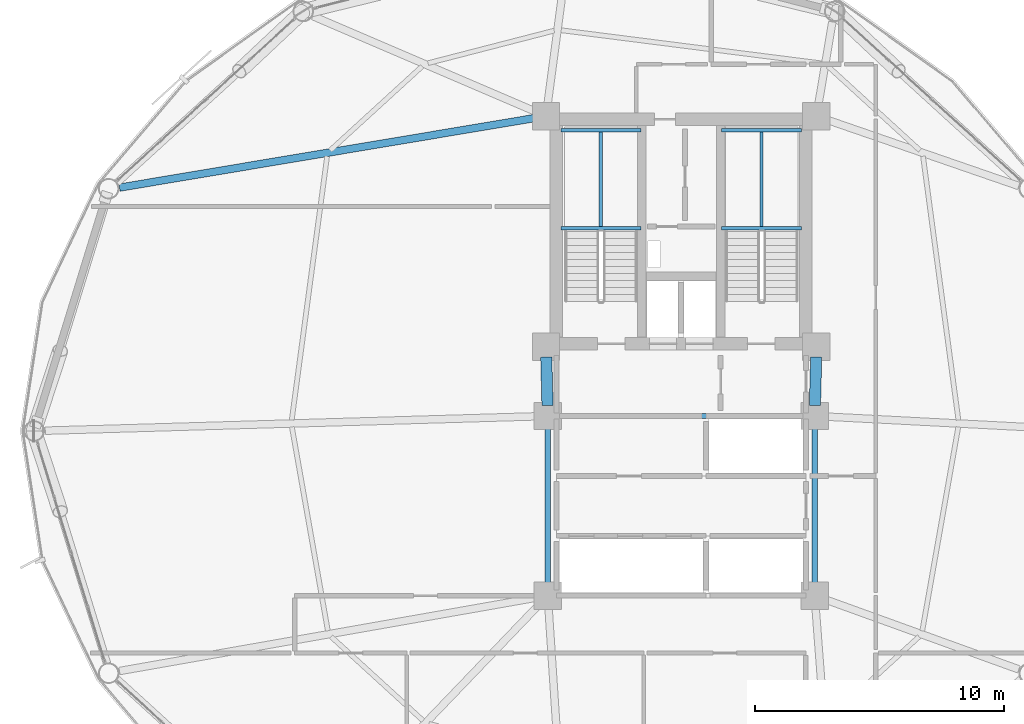
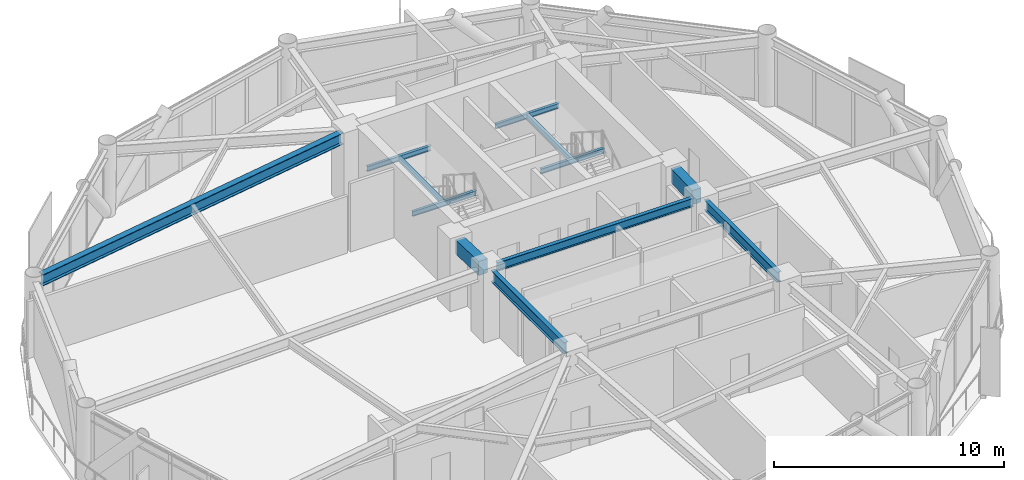
# One storey, part 11 of 24: 12 beams.
"""IFC4 building model written with IfcOpenShell, lengths in metres."""

from ifc_helpers import new_model, si_unit, direction, frame, origin, origin_2d, place, context, subcontext, project, spatial, rectangle, i_section, extrude, material, material_profile, profile_set, type_object, element, save


model = new_model("IFC4")

# Units and contexts
model_context = context("Model", 3, precision=1e-05, world=origin(), true_north=direction((0.0, 1.0)))
body_context = subcontext(model_context, "Body", "Model", "MODEL_VIEW")
ifc_project = project(units=[si_unit("LENGTHUNIT", "METRE"), si_unit("AREAUNIT", "SQUARE_METRE"), si_unit("VOLUMEUNIT", "CUBIC_METRE"), si_unit("PLANEANGLEUNIT", "RADIAN"), si_unit("MASSUNIT", "GRAM", prefix="KILO")], contexts=[model_context])

# Site, building, storey
site_placement = place(None, origin())
site = spatial("IfcSite", under=ifc_project, at=site_placement, CompositionType="ELEMENT")
building_placement = place(site_placement, origin())
building = spatial("IfcBuilding", under=site, at=building_placement, Name="Varnakorn Sky Granary", CompositionType="ELEMENT")
storey_placement = place(building_placement, frame((0.0, 0.0, 111.0)))
storey = spatial("IfcBuildingStorey", under=building, at=storey_placement, Name="L27", CompositionType="ELEMENT", Elevation=111.0)

# Beams
ifc_material_1 = material(Name="Steel S355JR", Category="steel")
ifc_material_profile_1 = material_profile(ifc_material_1, i_section(OverallWidth=0.2099609375, OverallDepth=0.550048828125, WebThickness=0.010986328125, FlangeThickness=0.01708984375, at=origin_2d()), Name="IPE 550")
ifc_profile_set_1 = profile_set([ifc_material_profile_1], Name="Steel S355JR")
beam_type_1 = type_object("IfcBeamType", Name="BM-JST-550", PredefinedType="JOIST", material=ifc_profile_set_1)
beam_1_placement = place(storey_placement, frame((8.35009765625, 0.179931640625, 3.364990234375), z_axis=(0.0, -1.0, 0.0), x_axis=(1.0, 0.0, 0.0)))
element("IfcBeam", 1, at=beam_1_placement, inside=storey, type_object=beam_type_1, Name="Core Spine Framing Beam 4 L27", PredefinedType="JOIST", context=body_context, shape_type="SweptSolid", body=[
    extrude(i_section(OverallWidth=0.2099609375, OverallDepth=0.550048828125, WebThickness=0.010986328125, FlangeThickness=0.01708984375, at=origin_2d()), origin(), (0.0, 0.0, 1.0), 6.35986328125),
])
ifc_material_profile_2 = material_profile(ifc_material_1, i_section(OverallWidth=0.219970703125, OverallDepth=0.60009765625, WebThickness=0.011962890625, FlangeThickness=0.01904296875, at=origin_2d()), Name="IPE 600")
ifc_profile_set_2 = profile_set([ifc_material_profile_2], Name="Steel S355JR")
beam_type_2 = type_object("IfcBeamType", Name="BM-JST-600", PredefinedType="JOIST", material=ifc_profile_set_2)
beam_2_placement = place(storey_placement, frame((-2.35009765625, 0.179931640625, 3.340087890625), z_axis=(0.0, -1.0, 0.0), x_axis=(1.0, 0.0, 0.0)))
element("IfcBeam", 2, at=beam_2_placement, inside=storey, type_object=beam_type_2, Name="Core Spine Framing Beam 3 L27", PredefinedType="JOIST", context=body_context, shape_type="SweptSolid", body=[
    extrude(i_section(OverallWidth=0.219970703125, OverallDepth=0.60009765625, WebThickness=0.011962890625, FlangeThickness=0.01904296875, at=origin_2d()), origin(), (0.0, 0.0, 1.0), 6.35986328125),
])
ifc_material_2 = material(Name="Concrete C60/75", Category="concrete")
ifc_material_profile_3 = material_profile(ifc_material_2, rectangle(XDim=0.449951171875, YDim=0.75, at=origin_2d()), Name="RC 450x750")
ifc_profile_set_3 = profile_set([ifc_material_profile_3], Name="Concrete C60/75")
beam_type_3 = type_object("IfcBeamType", Name="BM-LIN-750", PredefinedType="LINTEL", material=ifc_profile_set_3)
for number, where, z_axis, x_axis, name in (
    (3, (-2.409423828125, 2.960205078125, 3.264892578125), (0.025158763514, -0.999683468213, 0.0), (0.999683468213, 0.025158763514, 0.0), "Core Spine Framing Beam 1 L27"),
    (4, (8.409423828125, 2.960205078125, 3.264892578125), (-0.025158763514, -0.999683468213, 0.0), (0.999683468213, -0.025158763514, 0.0), "Core Spine Framing Beam 2 L27"),
):
    element("IfcBeam", number, at=place(storey_placement, frame(where, z_axis=z_axis, x_axis=x_axis)), inside=storey, type_object=beam_type_3, Name=name, PredefinedType="LINTEL", context=body_context, shape_type="SweptSolid", body=[
        extrude(rectangle(XDim=0.449951171875, YDim=0.75, at=origin_2d()), origin(), (0.0, 0.0, 1.0), 1.94091796875),
    ])
ifc_material_profile_4 = material_profile(ifc_material_1, i_section(OverallWidth=0.135009765625, OverallDepth=0.27001953125, WebThickness=0.006591796875, FlangeThickness=0.01025390625, at=origin_2d()), Name="IPE 270")
ifc_profile_set_4 = profile_set([ifc_material_profile_4], Name="Steel S355JR")
beam_type_4 = type_object("IfcBeamType", Name="BM-LND-270", PredefinedType="BEAM", material=ifc_profile_set_4)
for number, where, z_axis, x_axis, name in (
    (5, (-1.820068359375, 8.1201171875, 1.614990234375), (1.0, 0.0, 0.0), (0.0, 1.0, 0.0), "Stair ST-1 Landing Trimmer Beam A L27-1"),
    (6, (-1.820068359375, 12.06005859375, 1.614990234375), (1.0, 0.0, 0.0), (0.0, 1.0, 0.0), "Stair ST-1 Landing Trimmer Beam B L27-1"),
):
    element("IfcBeam", number, at=place(storey_placement, frame(where, z_axis=z_axis, x_axis=x_axis)), inside=storey, type_object=beam_type_4, Name=name, PredefinedType="BEAM", context=body_context, shape_type="SweptSolid", body=[
        extrude(i_section(OverallWidth=0.135009765625, OverallDepth=0.27001953125, WebThickness=0.006591796875, FlangeThickness=0.01025390625, at=origin_2d()), origin(), (0.0, 0.0, 1.0), 3.199951171875),
    ])
beam_3_placement = place(storey_placement, frame((-0.219970703125, 8.1201171875, 1.614990234375), z_axis=(0.0, 1.0, 0.0), x_axis=(-1.0, 0.0, 0.0)))
element("IfcBeam", 7, at=beam_3_placement, inside=storey, type_object=beam_type_4, Name="Stair ST-1 Landing Cross Beam C L27-1", PredefinedType="BEAM", context=body_context, shape_type="SweptSolid", body=[
    extrude(i_section(OverallWidth=0.135009765625, OverallDepth=0.27001953125, WebThickness=0.006591796875, FlangeThickness=0.01025390625, at=origin_2d()), origin(), (0.0, 0.0, 1.0), 3.93994140625),
])
for number, where, z_axis, x_axis, name in (
    (8, (4.6201171875, 8.1201171875, 1.614990234375), (1.0, 0.0, 0.0), (0.0, 1.0, 0.0), "Stair ST-2 Landing Trimmer Beam A L27-1"),
    (9, (4.6201171875, 12.06005859375, 1.614990234375), (1.0, 0.0, 0.0), (0.0, 1.0, 0.0), "Stair ST-2 Landing Trimmer Beam B L27-1"),
):
    element("IfcBeam", number, at=place(storey_placement, frame(where, z_axis=z_axis, x_axis=x_axis)), inside=storey, type_object=beam_type_4, Name=name, PredefinedType="BEAM", context=body_context, shape_type="SweptSolid", body=[
        extrude(i_section(OverallWidth=0.135009765625, OverallDepth=0.27001953125, WebThickness=0.006591796875, FlangeThickness=0.01025390625, at=origin_2d()), origin(), (0.0, 0.0, 1.0), 3.199951171875),
    ])
beam_4_placement = place(storey_placement, frame((6.219970703125, 8.1201171875, 1.614990234375), z_axis=(0.0, 1.0, 0.0), x_axis=(-1.0, 0.0, 0.0)))
element("IfcBeam", 10, at=beam_4_placement, inside=storey, type_object=beam_type_4, Name="Stair ST-2 Landing Cross Beam C L27-1", PredefinedType="BEAM", context=body_context, shape_type="SweptSolid", body=[
    extrude(i_section(OverallWidth=0.135009765625, OverallDepth=0.27001953125, WebThickness=0.006591796875, FlangeThickness=0.01025390625, at=origin_2d()), origin(), (0.0, 0.0, 1.0), 3.93994140625),
])
ifc_material_profile_5 = material_profile(ifc_material_1, i_section(OverallWidth=0.300048828125, OverallDepth=0.60009765625, WebThickness=0.015380859375, FlangeThickness=0.030029296875, at=origin_2d()), Name="HE 600 B")
ifc_profile_set_5 = profile_set([ifc_material_profile_5], Name="Steel S355JR")
beam_type_5 = type_object("IfcBeamType", Name="BM-RAD-Z2", PredefinedType="BEAM", material=ifc_profile_set_5)
beam_5_placement = place(storey_placement, frame((-2.834228515625, 12.550537109375, 3.340087890625), z_axis=(-0.986251941596, -0.165248623892, 0.0), x_axis=(0.165248623892, -0.986251941596, 0.0)))
element("IfcBeam", 11, at=beam_5_placement, inside=storey, type_object=beam_type_5, Name="Radial Floor Girder RG06 L27", PredefinedType="BEAM", context=body_context, shape_type="SweptSolid", body=[
    extrude(i_section(OverallWidth=0.300048828125, OverallDepth=0.60009765625, WebThickness=0.015380859375, FlangeThickness=0.030029296875, at=origin_2d()), origin(), (0.0, 0.0, 1.0), 16.913330078125),
])
ifc_material_profile_6 = material_profile(ifc_material_1, i_section(OverallWidth=0.18994140625, OverallDepth=0.449951171875, WebThickness=0.009521484375, FlangeThickness=0.0146484375, at=origin_2d()), Name="IPE 450")
ifc_profile_set_6 = profile_set([ifc_material_profile_6], Name="Steel S355JR")
beam_type_6 = type_object("IfcBeamType", Name="BM-SEC-Z2", PredefinedType="BEAM", material=ifc_profile_set_6)
beam_6_placement = place(storey_placement, frame((-1.929931640625, 0.60009765625, 3.4150390625), z_axis=(1.0, 0.0, 0.0), x_axis=(0.0, 1.0, 0.0)))
element("IfcBeam", 12, at=beam_6_placement, inside=storey, type_object=beam_type_6, Name="Core Spine Framing Beam 5 L27", PredefinedType="BEAM", context=body_context, shape_type="SweptSolid", body=[
    extrude(i_section(OverallWidth=0.18994140625, OverallDepth=0.449951171875, WebThickness=0.009521484375, FlangeThickness=0.0146484375, at=origin_2d()), origin(), (0.0, 0.0, 1.0), 9.85986328125),
])

save(model, "model.ifc")
